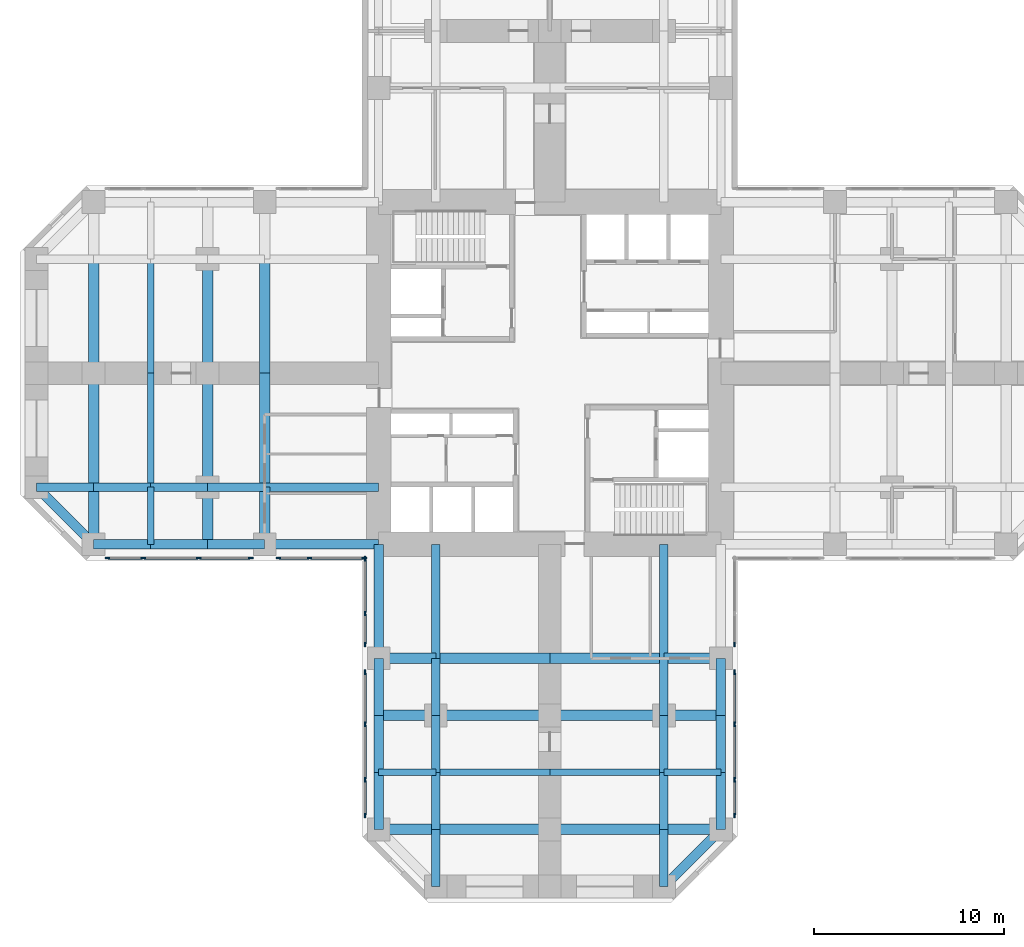
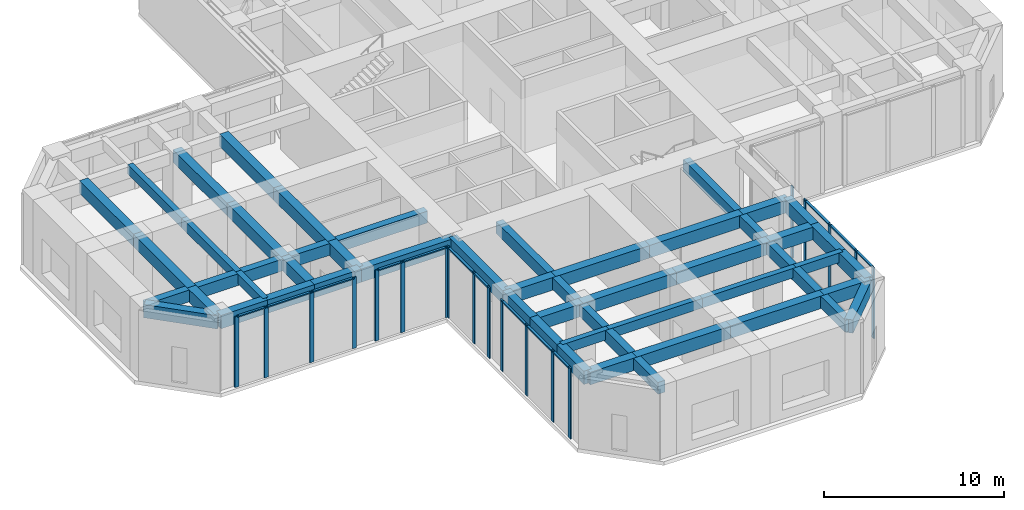
# One storey, part 2 of 11: 56 beams, 32 members, 3 elements without a shape of their own.
"""IFC4 building model written with IfcOpenShell, lengths in metres."""

from ifc_helpers import new_model, si_unit, direction, frame, origin, origin_2d, place, context, subcontext, project, spatial, rectangle, extrude, material, material_profile, profile_set, type_object, element, aggregate, save


model = new_model("IFC4")

# Units and contexts
model_context = context("Model", 3, precision=1e-05, world=origin(), true_north=direction((0.0, 1.0)))
body_context = subcontext(model_context, "Body", "Model", "MODEL_VIEW")
ifc_project = project(units=[si_unit("LENGTHUNIT", "METRE"), si_unit("AREAUNIT", "SQUARE_METRE"), si_unit("VOLUMEUNIT", "CUBIC_METRE"), si_unit("PLANEANGLEUNIT", "RADIAN"), si_unit("MASSUNIT", "GRAM", prefix="KILO")], contexts=[model_context])

# Site, building, storey
site_placement = place(None, origin())
site = spatial("IfcSite", under=ifc_project, at=site_placement, CompositionType="ELEMENT")
building_placement = place(site_placement, origin())
building = spatial("IfcBuilding", under=site, at=building_placement, Name="Torre Cruceta", CompositionType="ELEMENT")
storey_placement = place(building_placement, frame((0.0, 0.0, 95.5)))
storey = spatial("IfcBuildingStorey", under=building, at=storey_placement, Name="L23", CompositionType="ELEMENT", Elevation=95.5)

# Beams
ifc_material_1 = material(Name="Concrete G60 (fck 60 MPa)", Category="concrete")
ifc_material_profile_1 = material_profile(ifc_material_1, rectangle(XDim=0.449951171875, YDim=0.800048828125, at=origin_2d()), Name="RC 450X800")
ifc_profile_set_1 = profile_set([ifc_material_profile_1], Name="Concrete G60 (fck 60 MPa)")
beam_type_1 = type_object("IfcBeamType", Name="COLUMN LINE BEAM RC 450X800", PredefinedType="BEAM", material=ifc_profile_set_1)
beam_1_placement = place(storey_placement, frame((-6.0, -9.0, 4.39990234375), z_axis=(0.0, -1.0, 0.0), x_axis=(1.0, 0.0, 0.0)))
element("IfcBeam", 1, at=beam_1_placement, inside=storey, type_object=beam_type_1, Name="LB1 L23 S col- 1", PredefinedType="BEAM", context=body_context, shape_type="SweptSolid", body=[
    extrude(rectangle(XDim=0.449951171875, YDim=0.800048828125, at=origin_2d()), origin(), (0.0, 0.0, 1.0), 6.0),
])
for number, where, z_axis, x_axis, name in (
    (2, (-6.0, -15.0, 4.39990234375), (0.0, -1.0, 0.0), (1.0, 0.0, 0.0), "LB1 L23 S col- 2"),
    (3, (-6.0, -18.0, 4.39990234375), (0.0, -1.0, 0.0), (1.0, 0.0, 0.0), "LB1 L23 S col- 3"),
    (4, (-6.0, -21.0, 4.39990234375), (0.0, -1.0, 0.0), (1.0, 0.0, 0.0), "LB1 L23 S col- 4"),
    (5, (-6.0, -24.0, 4.39990234375), (0.0, -1.0, 0.0), (1.0, 0.0, 0.0), "LB1 L23 S col- 5"),
):
    element("IfcBeam", number, at=place(storey_placement, frame(where, z_axis=z_axis, x_axis=x_axis)), inside=storey, type_object=beam_type_1, Name=name, PredefinedType="BEAM", context=body_context, shape_type="SweptSolid", body=[
        extrude(rectangle(XDim=0.449951171875, YDim=0.800048828125, at=origin_2d()), origin(), (0.0, 0.0, 1.0), 3.0),
    ])
beam_2_placement = place(storey_placement, frame((6.0, -9.0, 4.39990234375), z_axis=(0.0, -1.0, 0.0), x_axis=(1.0, 0.0, 0.0)))
element("IfcBeam", 6, at=beam_2_placement, inside=storey, type_object=beam_type_1, Name="LB1 L23 S col+ 1", PredefinedType="BEAM", context=body_context, shape_type="SweptSolid", body=[
    extrude(rectangle(XDim=0.449951171875, YDim=0.800048828125, at=origin_2d()), origin(), (0.0, 0.0, 1.0), 6.0),
])
for number, where, z_axis, x_axis, name in (
    (7, (6.0, -15.0, 4.39990234375), (0.0, -1.0, 0.0), (1.0, 0.0, 0.0), "LB1 L23 S col+ 2"),
    (8, (6.0, -18.0, 4.39990234375), (0.0, -1.0, 0.0), (1.0, 0.0, 0.0), "LB1 L23 S col+ 3"),
    (9, (6.0, -21.0, 4.39990234375), (0.0, -1.0, 0.0), (1.0, 0.0, 0.0), "LB1 L23 S col+ 4"),
    (10, (6.0, -24.0, 4.39990234375), (0.0, -1.0, 0.0), (1.0, 0.0, 0.0), "LB1 L23 S col+ 5"),
):
    element("IfcBeam", number, at=place(storey_placement, frame(where, z_axis=z_axis, x_axis=x_axis)), inside=storey, type_object=beam_type_1, Name=name, PredefinedType="BEAM", context=body_context, shape_type="SweptSolid", body=[
        extrude(rectangle(XDim=0.449951171875, YDim=0.800048828125, at=origin_2d()), origin(), (0.0, 0.0, 1.0), 3.0),
    ])
beam_3_placement = place(storey_placement, frame((-9.0, -6.0, 4.39990234375), z_axis=(-1.0, 0.0, 0.0), x_axis=(0.0, -1.0, 0.0)))
element("IfcBeam", 11, at=beam_3_placement, inside=storey, type_object=beam_type_1, Name="LB1 L23 W col+ 1", PredefinedType="BEAM", context=body_context, shape_type="SweptSolid", body=[
    extrude(rectangle(XDim=0.449951171875, YDim=0.800048828125, at=origin_2d()), origin(), (0.0, 0.0, 1.0), 6.0),
])
for number, where, z_axis, x_axis, name in (
    (12, (-15.0, -6.0, 4.39990234375), (-1.0, 0.0, 0.0), (0.0, -1.0, 0.0), "LB1 L23 W col+ 2"),
    (13, (-18.0, -6.0, 4.39990234375), (-1.0, 0.0, 0.0), (0.0, -1.0, 0.0), "LB1 L23 W col+ 3"),
    (14, (-21.0, -6.0, 4.39990234375), (-1.0, 0.0, 0.0), (0.0, -1.0, 0.0), "LB1 L23 W col+ 4"),
    (15, (-24.0, -6.0, 4.39990234375), (-1.0, 0.0, 0.0), (0.0, -1.0, 0.0), "LB1 L23 W col+ 5"),
):
    element("IfcBeam", number, at=place(storey_placement, frame(where, z_axis=z_axis, x_axis=x_axis)), inside=storey, type_object=beam_type_1, Name=name, PredefinedType="BEAM", context=body_context, shape_type="SweptSolid", body=[
        extrude(rectangle(XDim=0.449951171875, YDim=0.800048828125, at=origin_2d()), origin(), (0.0, 0.0, 1.0), 3.0),
    ])
ifc_material_2 = material(Name="Concrete G60 (fck 60 MPa)", Category="concrete")
ifc_material_profile_2 = material_profile(ifc_material_2, rectangle(XDim=0.550048828125, YDim=0.85009765625, at=origin_2d()), Name="RC 550X850")
ifc_profile_set_2 = profile_set([ifc_material_profile_2], Name="Concrete G60 (fck 60 MPa)")
beam_type_2 = type_object("IfcBeamType", Name="CROSS BEAM RC 550X850", PredefinedType="BEAM", material=ifc_profile_set_2)
beam_4_placement = place(storey_placement, frame((-9.0, -15.0, 4.375), z_axis=(1.0, 0.0, 0.0), x_axis=(0.0, 1.0, 0.0)))
element("IfcBeam", 16, at=beam_4_placement, inside=storey, type_object=beam_type_2, Name="GB4 L23 S cross15 1", PredefinedType="BEAM", context=body_context, shape_type="SweptSolid", body=[
    extrude(rectangle(XDim=0.550048828125, YDim=0.85009765625, at=origin_2d()), origin(), (0.0, 0.0, 1.0), 3.0),
])
for number, where, z_axis, x_axis, name in (
    (17, (-6.0, -15.0, 4.375), (1.0, 0.0, 0.0), (0.0, 1.0, 0.0), "GB4 L23 S cross15 2"),
    (18, (0.0, -15.0, 4.375), (1.0, 0.0, 0.0), (0.0, 1.0, 0.0), "GB4 L23 S cross15 3"),
):
    element("IfcBeam", number, at=place(storey_placement, frame(where, z_axis=z_axis, x_axis=x_axis)), inside=storey, type_object=beam_type_2, Name=name, PredefinedType="BEAM", context=body_context, shape_type="SweptSolid", body=[
        extrude(rectangle(XDim=0.550048828125, YDim=0.85009765625, at=origin_2d()), origin(), (0.0, 0.0, 1.0), 6.0),
    ])
for number, where, z_axis, x_axis, name in (
    (19, (6.0, -15.0, 4.375), (1.0, 0.0, 0.0), (0.0, 1.0, 0.0), "GB4 L23 S cross15 4"),
    (20, (-9.0, -18.0, 4.375), (1.0, 0.0, 0.0), (0.0, 1.0, 0.0), "GB4 L23 S cross18 1"),
):
    element("IfcBeam", number, at=place(storey_placement, frame(where, z_axis=z_axis, x_axis=x_axis)), inside=storey, type_object=beam_type_2, Name=name, PredefinedType="BEAM", context=body_context, shape_type="SweptSolid", body=[
        extrude(rectangle(XDim=0.550048828125, YDim=0.85009765625, at=origin_2d()), origin(), (0.0, 0.0, 1.0), 3.0),
    ])
for number, where, z_axis, x_axis, name in (
    (21, (-6.0, -18.0, 4.375), (1.0, 0.0, 0.0), (0.0, 1.0, 0.0), "GB4 L23 S cross18 2"),
    (22, (0.0, -18.0, 4.375), (1.0, 0.0, 0.0), (0.0, 1.0, 0.0), "GB4 L23 S cross18 3"),
):
    element("IfcBeam", number, at=place(storey_placement, frame(where, z_axis=z_axis, x_axis=x_axis)), inside=storey, type_object=beam_type_2, Name=name, PredefinedType="BEAM", context=body_context, shape_type="SweptSolid", body=[
        extrude(rectangle(XDim=0.550048828125, YDim=0.85009765625, at=origin_2d()), origin(), (0.0, 0.0, 1.0), 6.0),
    ])
for number, where, z_axis, x_axis, name in (
    (23, (6.0, -18.0, 4.375), (1.0, 0.0, 0.0), (0.0, 1.0, 0.0), "GB4 L23 S cross18 4"),
    (24, (-9.0, -24.0, 4.375), (1.0, 0.0, 0.0), (0.0, 1.0, 0.0), "GB4 L23 S cross24 1"),
):
    element("IfcBeam", number, at=place(storey_placement, frame(where, z_axis=z_axis, x_axis=x_axis)), inside=storey, type_object=beam_type_2, Name=name, PredefinedType="BEAM", context=body_context, shape_type="SweptSolid", body=[
        extrude(rectangle(XDim=0.550048828125, YDim=0.85009765625, at=origin_2d()), origin(), (0.0, 0.0, 1.0), 3.0),
    ])
for number, where, z_axis, x_axis, name in (
    (25, (-6.0, -24.0, 4.375), (1.0, 0.0, 0.0), (0.0, 1.0, 0.0), "GB4 L23 S cross24 2"),
    (26, (0.0, -24.0, 4.375), (1.0, 0.0, 0.0), (0.0, 1.0, 0.0), "GB4 L23 S cross24 3"),
):
    element("IfcBeam", number, at=place(storey_placement, frame(where, z_axis=z_axis, x_axis=x_axis)), inside=storey, type_object=beam_type_2, Name=name, PredefinedType="BEAM", context=body_context, shape_type="SweptSolid", body=[
        extrude(rectangle(XDim=0.550048828125, YDim=0.85009765625, at=origin_2d()), origin(), (0.0, 0.0, 1.0), 6.0),
    ])
beam_5_placement = place(storey_placement, frame((6.0, -24.0, 4.375), z_axis=(1.0, 0.0, 0.0), x_axis=(0.0, 1.0, 0.0)))
element("IfcBeam", 27, at=beam_5_placement, inside=storey, type_object=beam_type_2, Name="GB4 L23 S cross24 4", PredefinedType="BEAM", context=body_context, shape_type="SweptSolid", body=[
    extrude(rectangle(XDim=0.550048828125, YDim=0.85009765625, at=origin_2d()), origin(), (0.0, 0.0, 1.0), 3.0),
])
for number, where, z_axis, x_axis, name in (
    (28, (-15.0, 6.0, 4.375), (0.0, -1.0, 0.0), (1.0, 0.0, 0.0), "GB4 L23 W cross15 2"),
    (29, (-15.0, 0.0, 4.375), (0.0, -1.0, 0.0), (1.0, 0.0, 0.0), "GB4 L23 W cross15 3"),
):
    element("IfcBeam", number, at=place(storey_placement, frame(where, z_axis=z_axis, x_axis=x_axis)), inside=storey, type_object=beam_type_2, Name=name, PredefinedType="BEAM", context=body_context, shape_type="SweptSolid", body=[
        extrude(rectangle(XDim=0.550048828125, YDim=0.85009765625, at=origin_2d()), origin(), (0.0, 0.0, 1.0), 6.0),
    ])
beam_6_placement = place(storey_placement, frame((-15.0, -6.0, 4.375), z_axis=(0.0, -1.0, 0.0), x_axis=(1.0, 0.0, 0.0)))
element("IfcBeam", 30, at=beam_6_placement, inside=storey, type_object=beam_type_2, Name="GB4 L23 W cross15 4", PredefinedType="BEAM", context=body_context, shape_type="SweptSolid", body=[
    extrude(rectangle(XDim=0.550048828125, YDim=0.85009765625, at=origin_2d()), origin(), (0.0, 0.0, 1.0), 3.0),
])
for number, where, z_axis, x_axis, name in (
    (31, (-18.0, 6.0, 4.375), (0.0, -1.0, 0.0), (1.0, 0.0, 0.0), "GB4 L23 W cross18 2"),
    (32, (-18.0, 0.0, 4.375), (0.0, -1.0, 0.0), (1.0, 0.0, 0.0), "GB4 L23 W cross18 3"),
):
    element("IfcBeam", number, at=place(storey_placement, frame(where, z_axis=z_axis, x_axis=x_axis)), inside=storey, type_object=beam_type_2, Name=name, PredefinedType="BEAM", context=body_context, shape_type="SweptSolid", body=[
        extrude(rectangle(XDim=0.550048828125, YDim=0.85009765625, at=origin_2d()), origin(), (0.0, 0.0, 1.0), 6.0),
    ])
beam_7_placement = place(storey_placement, frame((-18.0, -6.0, 4.375), z_axis=(0.0, -1.0, 0.0), x_axis=(1.0, 0.0, 0.0)))
element("IfcBeam", 33, at=beam_7_placement, inside=storey, type_object=beam_type_2, Name="GB4 L23 W cross18 4", PredefinedType="BEAM", context=body_context, shape_type="SweptSolid", body=[
    extrude(rectangle(XDim=0.550048828125, YDim=0.85009765625, at=origin_2d()), origin(), (0.0, 0.0, 1.0), 3.0),
])
for number, where, z_axis, x_axis, name in (
    (34, (-24.0, 6.0, 4.375), (0.0, -1.0, 0.0), (1.0, 0.0, 0.0), "GB4 L23 W cross24 2"),
    (35, (-24.0, 0.0, 4.375), (0.0, -1.0, 0.0), (1.0, 0.0, 0.0), "GB4 L23 W cross24 3"),
):
    element("IfcBeam", number, at=place(storey_placement, frame(where, z_axis=z_axis, x_axis=x_axis)), inside=storey, type_object=beam_type_2, Name=name, PredefinedType="BEAM", context=body_context, shape_type="SweptSolid", body=[
        extrude(rectangle(XDim=0.550048828125, YDim=0.85009765625, at=origin_2d()), origin(), (0.0, 0.0, 1.0), 6.0),
    ])
beam_8_placement = place(storey_placement, frame((-24.0, -6.0, 4.375), z_axis=(0.0, -1.0, 0.0), x_axis=(1.0, 0.0, 0.0)))
element("IfcBeam", 36, at=beam_8_placement, inside=storey, type_object=beam_type_2, Name="GB4 L23 W cross24 4", PredefinedType="BEAM", context=body_context, shape_type="SweptSolid", body=[
    extrude(rectangle(XDim=0.550048828125, YDim=0.85009765625, at=origin_2d()), origin(), (0.0, 0.0, 1.0), 3.0),
])

# Curtain wall, members
ifc_material_3 = material(Name="Aluminium unitised curtain wall", Category="aluminium")
curtain_wall_type = type_object("IfcCurtainWallType", Name="CURTAIN WALL CW-S SKY GARDEN", PredefinedType="USERDEFINED", material=ifc_material_3)
curtain_wall_1_placement = place(storey_placement, origin())
curtain_wall_1 = element("IfcCurtainWall", 37, at=curtain_wall_1_placement, inside=storey, type_object=curtain_wall_type, Name="CW-S L23 W side 14", ObjectType="UNITISED", PredefinedType="USERDEFINED")
ifc_material_4 = material(Name="Aluminium mullion", Category="aluminium")
ifc_material_profile_3 = material_profile(ifc_material_4, rectangle(XDim=0.080078125, YDim=0.25, at=origin_2d()), Name="AL 80X250")
ifc_profile_set_3 = profile_set([ifc_material_profile_3], Name="Aluminium mullion")
member_type_1 = type_object("IfcMemberType", Name="CW-S MULLION 80X250", PredefinedType="MULLION", material=ifc_profile_set_3)
member_1_placement = place(storey_placement, frame((-23.27392578125, -9.719970703125, 0.0), z_axis=(0.0, 0.0, 1.0), x_axis=(0.0, 1.0, 0.0)))
member_1 = element("IfcMember", 38, at=member_1_placement, type_object=member_type_1, Name="CW-S mullion 1", PredefinedType="MULLION", context=body_context, shape_type="SweptSolid", body=[
    extrude(rectangle(XDim=0.080078125, YDim=0.25, at=origin_2d()), origin(), (0.0, 0.0, 1.0), 4.800048828125),
])
member_2_placement = place(storey_placement, frame((-21.382568359375, -9.719970703125, 0.0), z_axis=(0.0, 0.0, 1.0), x_axis=(0.0, 1.0, 0.0)))
member_2 = element("IfcMember", 39, at=member_2_placement, type_object=member_type_1, Name="CW-S mullion 2", PredefinedType="MULLION", context=body_context, shape_type="SweptSolid", body=[
    extrude(rectangle(XDim=0.080078125, YDim=0.25, at=origin_2d()), origin(), (0.0, 0.0, 1.0), 4.800048828125),
])
member_3_placement = place(storey_placement, frame((-18.467041015625, -9.719970703125, 0.0), z_axis=(0.0, 0.0, 1.0), x_axis=(0.0, 1.0, 0.0)))
member_3 = element("IfcMember", 40, at=member_3_placement, type_object=member_type_1, Name="CW-S mullion 3", PredefinedType="MULLION", context=body_context, shape_type="SweptSolid", body=[
    extrude(rectangle(XDim=0.080078125, YDim=0.25, at=origin_2d()), origin(), (0.0, 0.0, 1.0), 4.800048828125),
])
member_4_placement = place(storey_placement, frame((-15.72607421875, -9.719970703125, 0.0), z_axis=(0.0, 0.0, 1.0), x_axis=(0.0, 1.0, 0.0)))
member_4 = element("IfcMember", 41, at=member_4_placement, type_object=member_type_1, Name="CW-S mullion 4", PredefinedType="MULLION", context=body_context, shape_type="SweptSolid", body=[
    extrude(rectangle(XDim=0.080078125, YDim=0.25, at=origin_2d()), origin(), (0.0, 0.0, 1.0), 4.800048828125),
])
member_5_placement = place(storey_placement, frame((-14.27392578125, -9.719970703125, 0.0), z_axis=(0.0, 0.0, 1.0), x_axis=(0.0, 1.0, 0.0)))
member_5 = element("IfcMember", 42, at=member_5_placement, type_object=member_type_1, Name="CW-S mullion 5", PredefinedType="MULLION", context=body_context, shape_type="SweptSolid", body=[
    extrude(rectangle(XDim=0.080078125, YDim=0.25, at=origin_2d()), origin(), (0.0, 0.0, 1.0), 4.800048828125),
])
member_6_placement = place(storey_placement, frame((-12.6357421875, -9.719970703125, 0.0), z_axis=(0.0, 0.0, 1.0), x_axis=(0.0, 1.0, 0.0)))
member_6 = element("IfcMember", 43, at=member_6_placement, type_object=member_type_1, Name="CW-S mullion 6", PredefinedType="MULLION", context=body_context, shape_type="SweptSolid", body=[
    extrude(rectangle(XDim=0.080078125, YDim=0.25, at=origin_2d()), origin(), (0.0, 0.0, 1.0), 4.800048828125),
])
member_7_placement = place(storey_placement, frame((-9.760009765625, -9.719970703125, 0.0), z_axis=(0.0, 0.0, 1.0), x_axis=(0.0, 1.0, 0.0)))
member_7 = element("IfcMember", 44, at=member_7_placement, type_object=member_type_1, Name="CW-S mullion 7", PredefinedType="MULLION", context=body_context, shape_type="SweptSolid", body=[
    extrude(rectangle(XDim=0.080078125, YDim=0.25, at=origin_2d()), origin(), (0.0, 0.0, 1.0), 4.800048828125),
])

curtain_wall_2_placement = place(storey_placement, origin())
curtain_wall_2 = element("IfcCurtainWall", 45, at=curtain_wall_2_placement, inside=storey, type_object=curtain_wall_type, Name="CW-S L23 S side 15", ObjectType="UNITISED", PredefinedType="USERDEFINED")
member_8_placement = place(storey_placement, frame((-9.719970703125, -9.760009765625, 0.0), z_axis=(0.0, 0.0, 1.0), x_axis=(1.0, 0.0, 0.0)))
member_8 = element("IfcMember", 46, at=member_8_placement, type_object=member_type_1, Name="CW-S mullion 1", PredefinedType="MULLION", context=body_context, shape_type="SweptSolid", body=[
    extrude(rectangle(XDim=0.080078125, YDim=0.25, at=origin_2d()), origin(), (0.0, 0.0, 1.0), 4.800048828125),
])
member_9_placement = place(storey_placement, frame((-9.719970703125, -12.6357421875, 0.0), z_axis=(0.0, 0.0, 1.0), x_axis=(1.0, 0.0, 0.0)))
member_9 = element("IfcMember", 47, at=member_9_placement, type_object=member_type_1, Name="CW-S mullion 2", PredefinedType="MULLION", context=body_context, shape_type="SweptSolid", body=[
    extrude(rectangle(XDim=0.080078125, YDim=0.25, at=origin_2d()), origin(), (0.0, 0.0, 1.0), 4.800048828125),
])
member_10_placement = place(storey_placement, frame((-9.719970703125, -14.27392578125, 0.0), z_axis=(0.0, 0.0, 1.0), x_axis=(1.0, 0.0, 0.0)))
member_10 = element("IfcMember", 48, at=member_10_placement, type_object=member_type_1, Name="CW-S mullion 3", PredefinedType="MULLION", context=body_context, shape_type="SweptSolid", body=[
    extrude(rectangle(XDim=0.080078125, YDim=0.25, at=origin_2d()), origin(), (0.0, 0.0, 1.0), 4.800048828125),
])
member_11_placement = place(storey_placement, frame((-9.719970703125, -15.72607421875, 0.0), z_axis=(0.0, 0.0, 1.0), x_axis=(1.0, 0.0, 0.0)))
member_11 = element("IfcMember", 49, at=member_11_placement, type_object=member_type_1, Name="CW-S mullion 4", PredefinedType="MULLION", context=body_context, shape_type="SweptSolid", body=[
    extrude(rectangle(XDim=0.080078125, YDim=0.25, at=origin_2d()), origin(), (0.0, 0.0, 1.0), 4.800048828125),
])
member_12_placement = place(storey_placement, frame((-9.719970703125, -18.467041015625, 0.0), z_axis=(0.0, 0.0, 1.0), x_axis=(1.0, 0.0, 0.0)))
member_12 = element("IfcMember", 50, at=member_12_placement, type_object=member_type_1, Name="CW-S mullion 5", PredefinedType="MULLION", context=body_context, shape_type="SweptSolid", body=[
    extrude(rectangle(XDim=0.080078125, YDim=0.25, at=origin_2d()), origin(), (0.0, 0.0, 1.0), 4.800048828125),
])
member_13_placement = place(storey_placement, frame((-9.719970703125, -21.382568359375, 0.0), z_axis=(0.0, 0.0, 1.0), x_axis=(1.0, 0.0, 0.0)))
member_13 = element("IfcMember", 51, at=member_13_placement, type_object=member_type_1, Name="CW-S mullion 6", PredefinedType="MULLION", context=body_context, shape_type="SweptSolid", body=[
    extrude(rectangle(XDim=0.080078125, YDim=0.25, at=origin_2d()), origin(), (0.0, 0.0, 1.0), 4.800048828125),
])
member_14_placement = place(storey_placement, frame((-9.719970703125, -23.27392578125, 0.0), z_axis=(0.0, 0.0, 1.0), x_axis=(1.0, 0.0, 0.0)))
member_14 = element("IfcMember", 52, at=member_14_placement, type_object=member_type_1, Name="CW-S mullion 7", PredefinedType="MULLION", context=body_context, shape_type="SweptSolid", body=[
    extrude(rectangle(XDim=0.080078125, YDim=0.25, at=origin_2d()), origin(), (0.0, 0.0, 1.0), 4.800048828125),
])

curtain_wall_3_placement = place(storey_placement, origin())
curtain_wall_3 = element("IfcCurtainWall", 53, at=curtain_wall_3_placement, inside=storey, type_object=curtain_wall_type, Name="CW-S L23 S side 19", ObjectType="UNITISED", PredefinedType="USERDEFINED")
member_15_placement = place(storey_placement, frame((9.719970703125, -23.27392578125, 0.0), z_axis=(0.0, 0.0, 1.0), x_axis=(-1.0, 0.0, 0.0)))
member_15 = element("IfcMember", 54, at=member_15_placement, type_object=member_type_1, Name="CW-S mullion 1", PredefinedType="MULLION", context=body_context, shape_type="SweptSolid", body=[
    extrude(rectangle(XDim=0.080078125, YDim=0.25, at=origin_2d()), origin(), (0.0, 0.0, 1.0), 4.800048828125),
])
member_16_placement = place(storey_placement, frame((9.719970703125, -21.382568359375, 0.0), z_axis=(0.0, 0.0, 1.0), x_axis=(-1.0, 0.0, 0.0)))
member_16 = element("IfcMember", 55, at=member_16_placement, type_object=member_type_1, Name="CW-S mullion 2", PredefinedType="MULLION", context=body_context, shape_type="SweptSolid", body=[
    extrude(rectangle(XDim=0.080078125, YDim=0.25, at=origin_2d()), origin(), (0.0, 0.0, 1.0), 4.800048828125),
])
member_17_placement = place(storey_placement, frame((9.719970703125, -18.467041015625, 0.0), z_axis=(0.0, 0.0, 1.0), x_axis=(-1.0, 0.0, 0.0)))
member_17 = element("IfcMember", 56, at=member_17_placement, type_object=member_type_1, Name="CW-S mullion 3", PredefinedType="MULLION", context=body_context, shape_type="SweptSolid", body=[
    extrude(rectangle(XDim=0.080078125, YDim=0.25, at=origin_2d()), origin(), (0.0, 0.0, 1.0), 4.800048828125),
])
member_18_placement = place(storey_placement, frame((9.719970703125, -15.72607421875, 0.0), z_axis=(0.0, 0.0, 1.0), x_axis=(-1.0, 0.0, 0.0)))
member_18 = element("IfcMember", 57, at=member_18_placement, type_object=member_type_1, Name="CW-S mullion 4", PredefinedType="MULLION", context=body_context, shape_type="SweptSolid", body=[
    extrude(rectangle(XDim=0.080078125, YDim=0.25, at=origin_2d()), origin(), (0.0, 0.0, 1.0), 4.800048828125),
])
member_19_placement = place(storey_placement, frame((9.719970703125, -14.27392578125, 0.0), z_axis=(0.0, 0.0, 1.0), x_axis=(-1.0, 0.0, 0.0)))
member_19 = element("IfcMember", 58, at=member_19_placement, type_object=member_type_1, Name="CW-S mullion 5", PredefinedType="MULLION", context=body_context, shape_type="SweptSolid", body=[
    extrude(rectangle(XDim=0.080078125, YDim=0.25, at=origin_2d()), origin(), (0.0, 0.0, 1.0), 4.800048828125),
])

# Member
ifc_material_5 = material(Name="Aluminium transom", Category="aluminium")
ifc_material_profile_4 = material_profile(ifc_material_5, rectangle(XDim=0.14990234375, YDim=0.080078125, at=origin_2d()), Name="AL 150X80")
ifc_profile_set_4 = profile_set([ifc_material_profile_4], Name="Aluminium transom")
member_type_2 = type_object("IfcMemberType", Name="CW-S TRANSOM 80X150", PredefinedType="USERDEFINED", material=ifc_profile_set_4)
member_20_placement = place(storey_placement, frame((-23.23388671875, -9.719970703125, 4.760009765625), z_axis=(1.0, 0.0, 0.0), x_axis=(0.0, 1.0, 0.0)))
member_20 = element("IfcMember", 59, at=member_20_placement, type_object=member_type_2, Name="CW-S transom 1", ObjectType="TRANSOM", PredefinedType="USERDEFINED", context=body_context, shape_type="SweptSolid", body=[
    extrude(rectangle(XDim=0.14990234375, YDim=0.080078125, at=origin_2d()), origin(), (0.0, 0.0, 1.0), 1.811279296875),
])

member_21_placement = place(storey_placement, frame((-21.342529296875, -9.719970703125, 4.760009765625), z_axis=(1.0, 0.0, 0.0), x_axis=(0.0, 1.0, 0.0)))
member_21 = element("IfcMember", 60, at=member_21_placement, type_object=member_type_2, Name="CW-S transom 2", ObjectType="TRANSOM", PredefinedType="USERDEFINED", context=body_context, shape_type="SweptSolid", body=[
    extrude(rectangle(XDim=0.14990234375, YDim=0.080078125, at=origin_2d()), origin(), (0.0, 0.0, 1.0), 2.835693359375),
])

member_22_placement = place(storey_placement, frame((-18.427001953125, -9.719970703125, 4.760009765625), z_axis=(1.0, 0.0, 0.0), x_axis=(0.0, 1.0, 0.0)))
member_22 = element("IfcMember", 61, at=member_22_placement, type_object=member_type_2, Name="CW-S transom 3", ObjectType="TRANSOM", PredefinedType="USERDEFINED", context=body_context, shape_type="SweptSolid", body=[
    extrude(rectangle(XDim=0.14990234375, YDim=0.080078125, at=origin_2d()), origin(), (0.0, 0.0, 1.0), 2.660888671875),
])

member_23_placement = place(storey_placement, frame((-14.23388671875, -9.719970703125, 4.760009765625), z_axis=(1.0, 0.0, 0.0), x_axis=(0.0, 1.0, 0.0)))
member_23 = element("IfcMember", 62, at=member_23_placement, type_object=member_type_2, Name="CW-S transom 4", ObjectType="TRANSOM", PredefinedType="USERDEFINED", context=body_context, shape_type="SweptSolid", body=[
    extrude(rectangle(XDim=0.14990234375, YDim=0.080078125, at=origin_2d()), origin(), (0.0, 0.0, 1.0), 1.558349609375),
])

member_24_placement = place(storey_placement, frame((-12.595703125, -9.719970703125, 4.760009765625), z_axis=(1.0, 0.0, 0.0), x_axis=(0.0, 1.0, 0.0)))
member_24 = element("IfcMember", 63, at=member_24_placement, type_object=member_type_2, Name="CW-S transom 5", ObjectType="TRANSOM", PredefinedType="USERDEFINED", context=body_context, shape_type="SweptSolid", body=[
    extrude(rectangle(XDim=0.14990234375, YDim=0.080078125, at=origin_2d()), origin(), (0.0, 0.0, 1.0), 2.795654296875),
])

aggregate(curtain_wall_1, [member_1, member_2, member_3, member_4, member_5, member_6, member_7, member_20, member_21, member_22, member_23, member_24])

member_25_placement = place(storey_placement, frame((-9.719970703125, -9.800048828125, 4.760009765625), z_axis=(0.0, -1.0, 0.0), x_axis=(1.0, 0.0, 0.0)))
member_25 = element("IfcMember", 64, at=member_25_placement, type_object=member_type_2, Name="CW-S transom 1", ObjectType="TRANSOM", PredefinedType="USERDEFINED", context=body_context, shape_type="SweptSolid", body=[
    extrude(rectangle(XDim=0.14990234375, YDim=0.080078125, at=origin_2d()), origin(), (0.0, 0.0, 1.0), 2.795654296875),
])

member_26_placement = place(storey_placement, frame((-9.719970703125, -12.675537109375, 4.760009765625), z_axis=(0.0, -1.0, 0.0), x_axis=(1.0, 0.0, 0.0)))
member_26 = element("IfcMember", 65, at=member_26_placement, type_object=member_type_2, Name="CW-S transom 2", ObjectType="TRANSOM", PredefinedType="USERDEFINED", context=body_context, shape_type="SweptSolid", body=[
    extrude(rectangle(XDim=0.14990234375, YDim=0.080078125, at=origin_2d()), origin(), (0.0, 0.0, 1.0), 1.558349609375),
])

member_27_placement = place(storey_placement, frame((-9.719970703125, -15.76611328125, 4.760009765625), z_axis=(0.0, -1.0, 0.0), x_axis=(1.0, 0.0, 0.0)))
member_27 = element("IfcMember", 66, at=member_27_placement, type_object=member_type_2, Name="CW-S transom 3", ObjectType="TRANSOM", PredefinedType="USERDEFINED", context=body_context, shape_type="SweptSolid", body=[
    extrude(rectangle(XDim=0.14990234375, YDim=0.080078125, at=origin_2d()), origin(), (0.0, 0.0, 1.0), 2.660888671875),
])

member_28_placement = place(storey_placement, frame((-9.719970703125, -18.5068359375, 4.760009765625), z_axis=(0.0, -1.0, 0.0), x_axis=(1.0, 0.0, 0.0)))
member_28 = element("IfcMember", 67, at=member_28_placement, type_object=member_type_2, Name="CW-S transom 4", ObjectType="TRANSOM", PredefinedType="USERDEFINED", context=body_context, shape_type="SweptSolid", body=[
    extrude(rectangle(XDim=0.14990234375, YDim=0.080078125, at=origin_2d()), origin(), (0.0, 0.0, 1.0), 2.835693359375),
])

member_29_placement = place(storey_placement, frame((-9.719970703125, -21.422607421875, 4.760009765625), z_axis=(0.0, -1.0, 0.0), x_axis=(1.0, 0.0, 0.0)))
member_29 = element("IfcMember", 68, at=member_29_placement, type_object=member_type_2, Name="CW-S transom 5", ObjectType="TRANSOM", PredefinedType="USERDEFINED", context=body_context, shape_type="SweptSolid", body=[
    extrude(rectangle(XDim=0.14990234375, YDim=0.080078125, at=origin_2d()), origin(), (0.0, 0.0, 1.0), 1.811279296875),
])

aggregate(curtain_wall_2, [member_8, member_9, member_10, member_11, member_12, member_13, member_14, member_25, member_26, member_27, member_28, member_29])

member_30_placement = place(storey_placement, frame((9.719970703125, -23.23388671875, 4.760009765625), z_axis=(0.0, 1.0, 0.0), x_axis=(-1.0, 0.0, 0.0)))
member_30 = element("IfcMember", 69, at=member_30_placement, type_object=member_type_2, Name="CW-S transom 1", ObjectType="TRANSOM", PredefinedType="USERDEFINED", context=body_context, shape_type="SweptSolid", body=[
    extrude(rectangle(XDim=0.14990234375, YDim=0.080078125, at=origin_2d()), origin(), (0.0, 0.0, 1.0), 1.811279296875),
])

member_31_placement = place(storey_placement, frame((9.719970703125, -21.342529296875, 4.760009765625), z_axis=(0.0, 1.0, 0.0), x_axis=(-1.0, 0.0, 0.0)))
member_31 = element("IfcMember", 70, at=member_31_placement, type_object=member_type_2, Name="CW-S transom 2", ObjectType="TRANSOM", PredefinedType="USERDEFINED", context=body_context, shape_type="SweptSolid", body=[
    extrude(rectangle(XDim=0.14990234375, YDim=0.080078125, at=origin_2d()), origin(), (0.0, 0.0, 1.0), 2.835693359375),
])

member_32_placement = place(storey_placement, frame((9.719970703125, -18.427001953125, 4.760009765625), z_axis=(0.0, 1.0, 0.0), x_axis=(-1.0, 0.0, 0.0)))
member_32 = element("IfcMember", 71, at=member_32_placement, type_object=member_type_2, Name="CW-S transom 3", ObjectType="TRANSOM", PredefinedType="USERDEFINED", context=body_context, shape_type="SweptSolid", body=[
    extrude(rectangle(XDim=0.14990234375, YDim=0.080078125, at=origin_2d()), origin(), (0.0, 0.0, 1.0), 2.660888671875),
])

aggregate(curtain_wall_3, [member_15, member_16, member_17, member_18, member_19, member_30, member_31, member_32])

# Beams
ifc_material_6 = material(Name="Concrete G60 (fck 60 MPa)", Category="concrete")
ifc_material_profile_5 = material_profile(ifc_material_6, rectangle(XDim=0.35009765625, YDim=0.64990234375, at=origin_2d()), Name="RC 350X650")
ifc_profile_set_5 = profile_set([ifc_material_profile_5], Name="Concrete G60 (fck 60 MPa)")
beam_type_3 = type_object("IfcBeamType", Name="SECONDARY BEAM RC 350X650", PredefinedType="JOIST", material=ifc_profile_set_5)
beam_9_placement = place(storey_placement, frame((-9.0, -21.0, 4.47509765625), z_axis=(1.0, 0.0, 0.0), x_axis=(0.0, 1.0, 0.0)))
element("IfcBeam", 72, at=beam_9_placement, inside=storey, type_object=beam_type_3, Name="JB3 L23 S sec21 1", PredefinedType="JOIST", context=body_context, shape_type="SweptSolid", body=[
    extrude(rectangle(XDim=0.35009765625, YDim=0.64990234375, at=origin_2d()), origin(), (0.0, 0.0, 1.0), 3.0),
])
for number, where, z_axis, x_axis, name in (
    (73, (-6.0, -21.0, 4.47509765625), (1.0, 0.0, 0.0), (0.0, 1.0, 0.0), "JB3 L23 S sec21 2"),
    (74, (0.0, -21.0, 4.47509765625), (1.0, 0.0, 0.0), (0.0, 1.0, 0.0), "JB3 L23 S sec21 3"),
):
    element("IfcBeam", number, at=place(storey_placement, frame(where, z_axis=z_axis, x_axis=x_axis)), inside=storey, type_object=beam_type_3, Name=name, PredefinedType="JOIST", context=body_context, shape_type="SweptSolid", body=[
        extrude(rectangle(XDim=0.35009765625, YDim=0.64990234375, at=origin_2d()), origin(), (0.0, 0.0, 1.0), 6.0),
    ])
beam_10_placement = place(storey_placement, frame((6.0, -21.0, 4.47509765625), z_axis=(1.0, 0.0, 0.0), x_axis=(0.0, 1.0, 0.0)))
element("IfcBeam", 75, at=beam_10_placement, inside=storey, type_object=beam_type_3, Name="JB3 L23 S sec21 4", PredefinedType="JOIST", context=body_context, shape_type="SweptSolid", body=[
    extrude(rectangle(XDim=0.35009765625, YDim=0.64990234375, at=origin_2d()), origin(), (0.0, 0.0, 1.0), 3.0),
])
for number, where, z_axis, x_axis, name in (
    (76, (-21.0, 6.0, 4.47509765625), (0.0, -1.0, 0.0), (1.0, 0.0, 0.0), "JB3 L23 W sec21 2"),
    (77, (-21.0, 0.0, 4.47509765625), (0.0, -1.0, 0.0), (1.0, 0.0, 0.0), "JB3 L23 W sec21 3"),
):
    element("IfcBeam", number, at=place(storey_placement, frame(where, z_axis=z_axis, x_axis=x_axis)), inside=storey, type_object=beam_type_3, Name=name, PredefinedType="JOIST", context=body_context, shape_type="SweptSolid", body=[
        extrude(rectangle(XDim=0.35009765625, YDim=0.64990234375, at=origin_2d()), origin(), (0.0, 0.0, 1.0), 6.0),
    ])
beam_11_placement = place(storey_placement, frame((-21.0, -6.0, 4.47509765625), z_axis=(0.0, -1.0, 0.0), x_axis=(1.0, 0.0, 0.0)))
element("IfcBeam", 78, at=beam_11_placement, inside=storey, type_object=beam_type_3, Name="JB3 L23 W sec21 4", PredefinedType="JOIST", context=body_context, shape_type="SweptSolid", body=[
    extrude(rectangle(XDim=0.35009765625, YDim=0.64990234375, at=origin_2d()), origin(), (0.0, 0.0, 1.0), 3.0),
])
ifc_material_7 = material(Name="Concrete G60 (fck 60 MPa)", Category="concrete")
ifc_material_profile_6 = material_profile(ifc_material_7, rectangle(XDim=0.5, YDim=0.89990234375, at=origin_2d()), Name="RC 500X900")
ifc_profile_set_6 = profile_set([ifc_material_profile_6], Name="Concrete G60 (fck 60 MPa)")
beam_type_4 = type_object("IfcBeamType", Name="SPANDREL BEAM RC 500X900", PredefinedType="SPANDREL", material=ifc_profile_set_6)
beam_12_placement = place(storey_placement, frame((-9.0, -9.0, 4.35009765625), z_axis=(0.0, -1.0, 0.0), x_axis=(1.0, 0.0, 0.0)))
element("IfcBeam", 79, at=beam_12_placement, inside=storey, type_object=beam_type_4, Name="SB4 L23 S side- 1", PredefinedType="SPANDREL", context=body_context, shape_type="SweptSolid", body=[
    extrude(rectangle(XDim=0.5, YDim=0.89990234375, at=origin_2d()), origin(), (0.0, 0.0, 1.0), 6.0),
])
for number, where, z_axis, x_axis, name in (
    (80, (-9.0, -15.0, 4.35009765625), (0.0, -1.0, 0.0), (1.0, 0.0, 0.0), "SB4 L23 S side- 2"),
    (81, (-9.0, -18.0, 4.35009765625), (0.0, -1.0, 0.0), (1.0, 0.0, 0.0), "SB4 L23 S side- 3"),
    (82, (-9.0, -21.0, 4.35009765625), (0.0, -1.0, 0.0), (1.0, 0.0, 0.0), "SB4 L23 S side- 4"),
    (83, (9.0, -15.0, 4.35009765625), (0.0, -1.0, 0.0), (1.0, 0.0, 0.0), "SB4 L23 S side+ 2"),
    (84, (9.0, -18.0, 4.35009765625), (0.0, -1.0, 0.0), (1.0, 0.0, 0.0), "SB4 L23 S side+ 3"),
    (85, (9.0, -21.0, 4.35009765625), (0.0, -1.0, 0.0), (1.0, 0.0, 0.0), "SB4 L23 S side+ 4"),
):
    element("IfcBeam", number, at=place(storey_placement, frame(where, z_axis=z_axis, x_axis=x_axis)), inside=storey, type_object=beam_type_4, Name=name, PredefinedType="SPANDREL", context=body_context, shape_type="SweptSolid", body=[
        extrude(rectangle(XDim=0.5, YDim=0.89990234375, at=origin_2d()), origin(), (0.0, 0.0, 1.0), 3.0),
    ])
beam_13_placement = place(storey_placement, frame((9.0, -24.0, 4.35009765625), z_axis=(-0.707106781187, -0.707106781187, 0.0), x_axis=(0.707106781187, -0.707106781187, 0.0)))
element("IfcBeam", 86, at=beam_13_placement, inside=storey, type_object=beam_type_4, Name="SB4 L23 S side+ 5", PredefinedType="SPANDREL", context=body_context, shape_type="SweptSolid", body=[
    extrude(rectangle(XDim=0.5, YDim=0.89990234375, at=origin_2d()), origin(), (0.0, 0.0, 1.0), 4.24267578125),
])
beam_14_placement = place(storey_placement, frame((-9.0, -9.0, 4.35009765625), z_axis=(-1.0, 0.0, 0.0), x_axis=(0.0, -1.0, 0.0)))
element("IfcBeam", 87, at=beam_14_placement, inside=storey, type_object=beam_type_4, Name="SB4 L23 W side+ 1", PredefinedType="SPANDREL", context=body_context, shape_type="SweptSolid", body=[
    extrude(rectangle(XDim=0.5, YDim=0.89990234375, at=origin_2d()), origin(), (0.0, 0.0, 1.0), 6.0),
])
for number, where, z_axis, x_axis, name in (
    (88, (-15.0, -9.0, 4.35009765625), (-1.0, 0.0, 0.0), (0.0, -1.0, 0.0), "SB4 L23 W side+ 2"),
    (89, (-18.0, -9.0, 4.35009765625), (-1.0, 0.0, 0.0), (0.0, -1.0, 0.0), "SB4 L23 W side+ 3"),
    (90, (-21.0, -9.0, 4.35009765625), (-1.0, 0.0, 0.0), (0.0, -1.0, 0.0), "SB4 L23 W side+ 4"),
):
    element("IfcBeam", number, at=place(storey_placement, frame(where, z_axis=z_axis, x_axis=x_axis)), inside=storey, type_object=beam_type_4, Name=name, PredefinedType="SPANDREL", context=body_context, shape_type="SweptSolid", body=[
        extrude(rectangle(XDim=0.5, YDim=0.89990234375, at=origin_2d()), origin(), (0.0, 0.0, 1.0), 3.0),
    ])
beam_15_placement = place(storey_placement, frame((-24.0, -9.0, 4.35009765625), z_axis=(-0.707106781187, 0.707106781187, 0.0), x_axis=(-0.707106781187, -0.707106781187, 0.0)))
element("IfcBeam", 91, at=beam_15_placement, inside=storey, type_object=beam_type_4, Name="SB4 L23 W side+ 5", PredefinedType="SPANDREL", context=body_context, shape_type="SweptSolid", body=[
    extrude(rectangle(XDim=0.5, YDim=0.89990234375, at=origin_2d()), origin(), (0.0, 0.0, 1.0), 4.24267578125),
])

save(model, "model.ifc")
